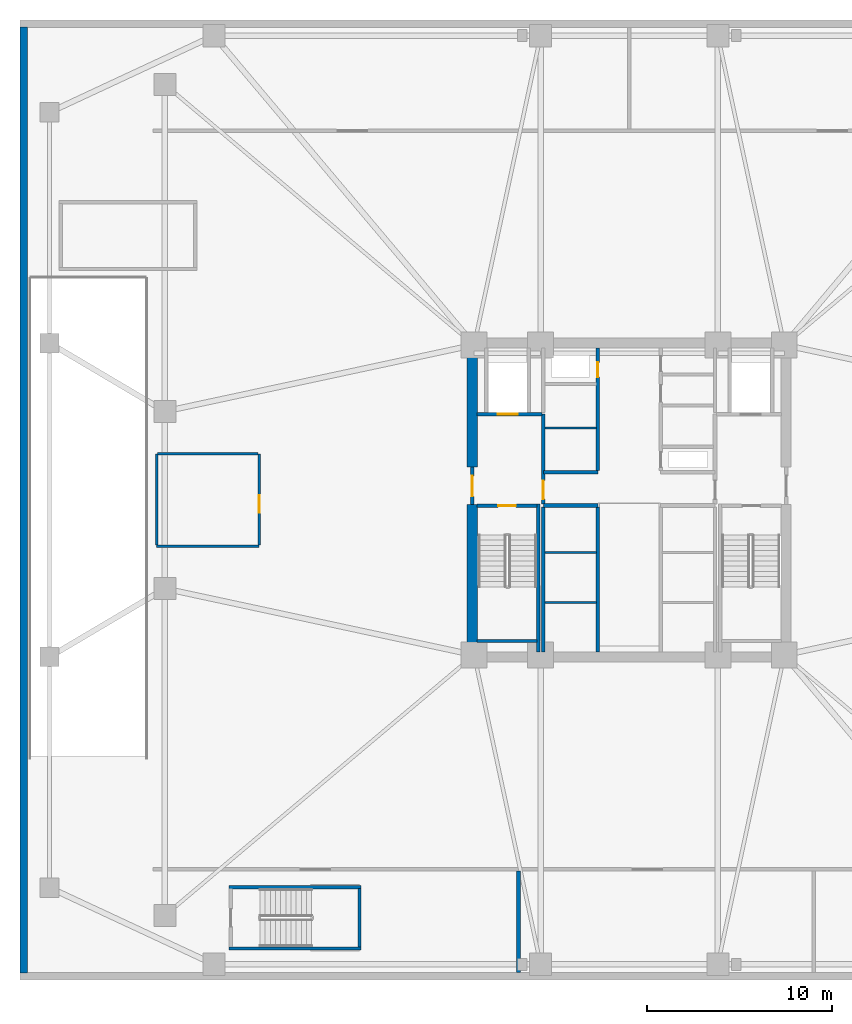
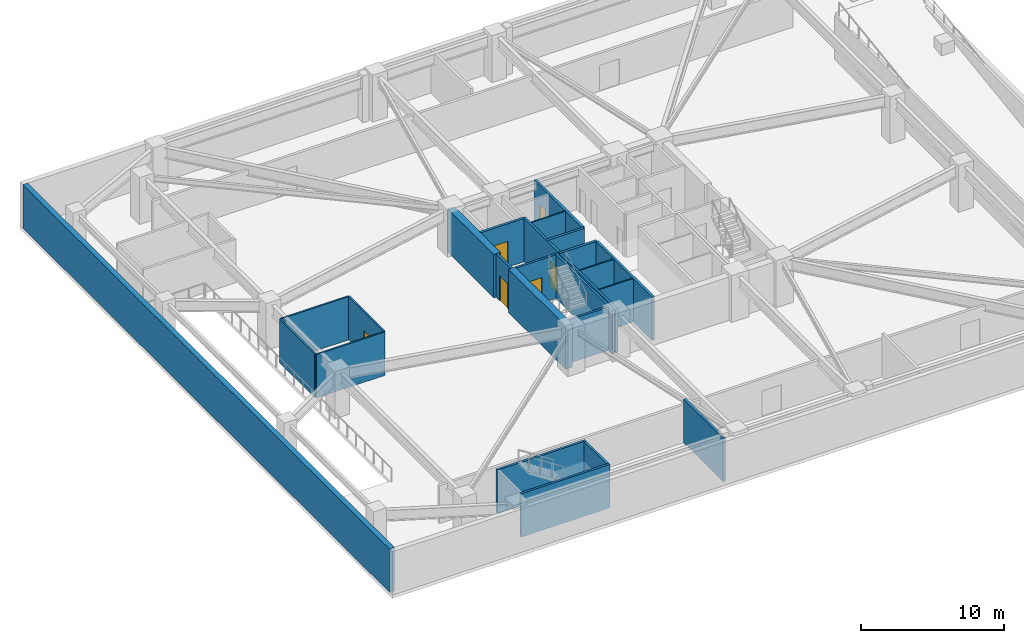
# One storey, part 2 of 9: 25 walls, 6 doors, 6 openings.
"""IFC4 building model written with IfcOpenShell, lengths in metres."""

from ifc_helpers import new_model, si_unit, direction, frame, frame_2d, origin, place, context, subcontext, project, spatial, rectangle, extrude, material, layer, layer_set, type_object, element, fill, save


model = new_model("IFC4")

# Units and contexts
model_context = context("Model", 3, precision=1e-05, world=origin(), true_north=direction((0.0, 1.0)))
body_context = subcontext(model_context, "Body", "Model", "MODEL_VIEW")
ifc_project = project(units=[si_unit("LENGTHUNIT", "METRE"), si_unit("AREAUNIT", "SQUARE_METRE"), si_unit("VOLUMEUNIT", "CUBIC_METRE"), si_unit("PLANEANGLEUNIT", "RADIAN"), si_unit("MASSUNIT", "GRAM", prefix="KILO")], contexts=[model_context])

# Site, building, storey
site_placement = place(None, origin())
site = spatial("IfcSite", under=ifc_project, at=site_placement, CompositionType="ELEMENT")
building_placement = place(site_placement, origin())
building = spatial("IfcBuilding", under=site, at=building_placement, Name="Cairnveth Concourse Tower", CompositionType="ELEMENT")
storey_placement = place(building_placement, frame((0.0, 0.0, -4.0)))
storey = spatial("IfcBuildingStorey", under=building, at=storey_placement, Name="B01", CompositionType="ELEMENT", Elevation=-4.0)

# Walls
ifc_material_1 = material(Name="Concrete N50 (50 MPa)", Category="concrete")
ifc_layer_1 = layer(ifc_material_1, 0.39990234375)
ifc_layer_set_1 = layer_set([ifc_layer_1], Name="Concrete N50 (50 MPa)")
wall_type_1 = type_object("IfcWallType", Name="BASEMENT RETAINING WALL 400", PredefinedType="USERDEFINED", material=ifc_layer_set_1)
wall_1_placement = place(storey_placement, frame((19.199951171875, 13.385009765625, 0.0), z_axis=(0.0, 0.0, 1.0), x_axis=(0.0, 1.0, 0.0)))
element("IfcWall", 1, at=wall_1_placement, inside=storey, type_object=wall_type_1, Name="Exterior Wall EW-B01-W", ObjectType="RETAINING WALL", PredefinedType="USERDEFINED", context=body_context, shape_type="SweptSolid", body=[
    extrude(rectangle(XDim=51.22998046875, YDim=0.39990234375, at=frame_2d((25.614990234375, 0.0))), origin(), (0.0, 0.0, 1.0), 3.699951171875),
])
ifc_material_2 = material(Name="Concrete N80 (80 MPa)", Category="concrete")
ifc_layer_2 = layer(ifc_material_2, 0.550048828125)
ifc_layer_set_2 = layer_set([ifc_layer_2], Name="Concrete N80 (80 MPa)")
wall_type_2 = type_object("IfcWallType", Name="CORE SHEAR WALL 550", PredefinedType="SHEAR", material=ifc_layer_set_2)
wall_2_placement = place(storey_placement, frame((43.5, 30.764892578125, 0.0), z_axis=(0.0, 0.0, 1.0), x_axis=(0.0, 1.0, 0.0)))
element("IfcWall", 2, at=wall_2_placement, inside=storey, type_object=wall_type_2, Name="Core West Shear Wall S B01", PredefinedType="SHEAR", context=body_context, shape_type="SweptSolid", body=[
    extrude(rectangle(XDim=7.985107421875, YDim=0.550048828125, at=frame_2d((3.99267578125, 0.0))), origin(), (0.0, 0.0, 1.0), 3.699951171875),
])
wall_3_placement = place(storey_placement, frame((43.5, 40.800048828125, 0.0), z_axis=(0.0, 0.0, 1.0), x_axis=(0.0, 1.0, 0.0)))
element("IfcWall", 3, at=wall_3_placement, inside=storey, type_object=wall_type_2, Name="Core West Shear Wall N B01", PredefinedType="SHEAR", context=body_context, shape_type="SweptSolid", body=[
    extrude(rectangle(XDim=6.43505859375, YDim=0.550048828125, at=frame_2d((3.217529296875, 0.0))), origin(), (0.0, 0.0, 1.0), 3.699951171875),
])
ifc_layer_3 = layer(ifc_material_1, 0.179931640625)
ifc_layer_set_3 = layer_set([ifc_layer_3], Name="Concrete N50 (50 MPa)")
wall_type_3 = type_object("IfcWallType", Name="FIRE SHAFT WALL 180", PredefinedType="SOLIDWALL", material=ifc_layer_set_3)
wall_4_placement = place(storey_placement, frame((47.35009765625, 30.760009765625, 0.0), z_axis=(0.0, 0.0, 1.0), x_axis=(0.0, 1.0, 0.0)))
element("IfcWall", 4, at=wall_4_placement, inside=storey, type_object=wall_type_3, Name="Interior Wall IW-B01-025", PredefinedType="SOLIDWALL", context=body_context, shape_type="SweptSolid", body=[
    extrude(rectangle(XDim=7.85498046875, YDim=0.179931640625, at=frame_2d((3.927490234375, 0.0))), origin(), (0.0, 0.0, 1.0), 3.699951171875),
])

# Wall, opening, door
wall_5_placement = place(storey_placement, frame((43.764892578125, 38.68994140625, 0.0), z_axis=(0.0, 0.0, 1.0), x_axis=(1.0, 0.0, 0.0)))
wall_5 = element("IfcWall", 5, at=wall_5_placement, inside=storey, type_object=wall_type_3, Name="Stair ST-1 Shaft Wall NEAR B01", PredefinedType="SOLIDWALL", context=body_context, shape_type="SweptSolid", body=[
    extrude(rectangle(XDim=3.230224609375, YDim=0.179931640625, at=frame_2d((1.615234375, 0.0))), origin(), (0.0, 0.0, 1.0), 3.699951171875),
])
opening_1_placement = place(wall_5_placement, frame((1.139892578125, 0.0, 0.0)))
opening_1 = element("IfcOpeningElement", 6, at=opening_1_placement, cuts=wall_5, Name="Opening ID12", PredefinedType="OPENING", context=body_context, shape_type="SweptSolid", body=[
    extrude(rectangle(XDim=0.949951171875, YDim=2.14990234375, at=frame_2d((0.47509765625, 1.074951171875))), frame((0.0, 0.099853515625, 0.0), z_axis=(0.0, -1.0, 0.0), x_axis=(1.0, 0.0, 0.0)), (0.0, 0.0, 1.0), 0.199951171875),
])
ifc_material_3 = material(Name="Steel Grade 350", Category="steel")
door_type_1 = type_object("IfcDoorType", Name="FIRE STAIR DOOR 950X2150", OperationType="NOTDEFINED", PredefinedType="DOOR", material=ifc_material_3)
door_1_placement = place(opening_1_placement, origin())
door_1 = element("IfcDoor", 7, at=door_1_placement, inside=storey, type_object=door_type_1, Name="Stair ST-1 Fire Door B01", OperationType="SINGLE_SWING_LEFT", OverallHeight=2.14990234375, OverallWidth=0.949951171875, PredefinedType="DOOR", context=body_context, shape_type="SweptSolid", body=[
    extrude(rectangle(XDim=0.949951171875, YDim=2.14990234375, at=frame_2d((0.47509765625, 1.074951171875))), frame((0.0, 0.02490234375, 0.0), z_axis=(0.0, -1.0, 0.0), x_axis=(1.0, 0.0, 0.0)), (0.0, 0.0, 1.0), 0.050048828125),
])
fill(opening_1, door_1)

# Walls
wall_6_placement = place(storey_placement, frame((43.764892578125, 31.360107421875, 0.0), z_axis=(0.0, 0.0, 1.0), x_axis=(1.0, 0.0, 0.0)))
element("IfcWall", 8, at=wall_6_placement, inside=storey, type_object=wall_type_3, Name="Stair ST-1 Shaft Wall FAR B01", PredefinedType="SOLIDWALL", context=body_context, shape_type="SweptSolid", body=[
    extrude(rectangle(XDim=3.230224609375, YDim=0.179931640625, at=frame_2d((1.615234375, 0.0))), origin(), (0.0, 0.0, 1.0), 3.699951171875),
])
wall_7_placement = place(storey_placement, frame((47.070068359375, 38.780029296875, 0.0), z_axis=(0.0, 0.0, 1.0), x_axis=(0.0, -1.0, 0.0)))
element("IfcWall", 9, at=wall_7_placement, inside=storey, type_object=wall_type_3, Name="Stair ST-1 Shaft Wall RGHT B01", PredefinedType="SOLIDWALL", context=body_context, shape_type="SweptSolid", body=[
    extrude(rectangle(XDim=8.01708984375, YDim=0.179931640625, at=frame_2d((4.008544921875, 0.0))), origin(), (0.0, 0.0, 1.0), 3.699951171875),
])
wall_8_placement = place(storey_placement, frame((37.389892578125, 14.784912109375, 0.0), z_axis=(0.0, 0.0, 1.0), x_axis=(0.0, 1.0, 0.0)))
element("IfcWall", 10, at=wall_8_placement, inside=storey, type_object=wall_type_3, Name="Stair ST-B1 Shaft Wall FAR B01", PredefinedType="SOLIDWALL", context=body_context, shape_type="SweptSolid", body=[
    extrude(rectangle(XDim=3.170166015625, YDim=0.179931640625, at=frame_2d((1.5849609375, 0.0))), origin(), (0.0, 0.0, 1.0), 3.699951171875),
])
for number, where, z_axis, x_axis, name in (
    (11, (30.320068359375, 14.7099609375, 0.0), (0.0, 0.0, 1.0), (1.0, 0.0, 0.0), "Stair ST-B1 Shaft Wall LEFT B01"),
    (12, (30.320068359375, 18.030029296875, 0.0), (0.0, 0.0, 1.0), (1.0, 0.0, 0.0), "Stair ST-B1 Shaft Wall RGHT B01"),
):
    element("IfcWall", number, at=place(storey_placement, frame(where, z_axis=z_axis, x_axis=x_axis)), inside=storey, type_object=wall_type_3, Name=name, PredefinedType="SOLIDWALL", context=body_context, shape_type="SweptSolid", body=[
        extrude(rectangle(XDim=7.159912109375, YDim=0.179931640625, at=frame_2d((3.580078125, 0.0))), origin(), (0.0, 0.0, 1.0), 3.699951171875),
    ])
ifc_layer_4 = layer(ifc_material_1, 0.199951171875)
ifc_layer_set_4 = layer_set([ifc_layer_4], Name="Concrete N50 (50 MPa)")
wall_type_4 = type_object("IfcWallType", Name="FIRE SHAFT WALL 200", PredefinedType="SOLIDWALL", material=ifc_layer_set_4)
for number, where, z_axis, x_axis, name in (
    (13, (47.35009765625, 38.699951171875, 0.0), (0.0, 0.0, 1.0), (1.0, 0.0, 0.0), "Interior Wall IW-B01-007"),
    (14, (47.35009765625, 40.5, 0.0), (0.0, 0.0, 1.0), (1.0, 0.0, 0.0), "Interior Wall IW-B01-008"),
):
    element("IfcWall", number, at=place(storey_placement, frame(where, z_axis=z_axis, x_axis=x_axis)), inside=storey, type_object=wall_type_4, Name=name, PredefinedType="SOLIDWALL", context=body_context, shape_type="SweptSolid", body=[
        extrude(rectangle(XDim=2.949951171875, YDim=0.199951171875, at=frame_2d((1.47509765625, 0.0))), origin(), (0.0, 0.0, 1.0), 3.699951171875),
    ])
wall_9_placement = place(storey_placement, frame((50.300048828125, 30.760009765625, 0.0), z_axis=(0.0, 0.0, 1.0), x_axis=(0.0, 1.0, 0.0)))
element("IfcWall", 15, at=wall_9_placement, inside=storey, type_object=wall_type_4, Name="Interior Wall IW-B01-011", PredefinedType="SOLIDWALL", context=body_context, shape_type="SweptSolid", body=[
    extrude(rectangle(XDim=7.85498046875, YDim=0.199951171875, at=frame_2d((3.927490234375, 0.0))), origin(), (0.0, 0.0, 1.0), 3.699951171875),
])

# Wall, opening, door
wall_10_placement = place(storey_placement, frame((50.300048828125, 40.5849609375, 0.0), z_axis=(0.0, 0.0, 1.0), x_axis=(0.0, 1.0, 0.0)))
wall_10 = element("IfcWall", 16, at=wall_10_placement, inside=storey, type_object=wall_type_4, Name="Interior Wall IW-B01-013", PredefinedType="SOLIDWALL", context=body_context, shape_type="SweptSolid", body=[
    extrude(rectangle(XDim=6.655029296875, YDim=0.199951171875, at=frame_2d((3.32763671875, 0.0))), origin(), (0.0, 0.0, 1.0), 3.699951171875),
])
opening_2_placement = place(wall_10_placement, frame((5.06494140625, 0.0, 0.0)))
opening_2 = element("IfcOpeningElement", 17, at=opening_2_placement, cuts=wall_10, Name="Opening ID24", PredefinedType="OPENING", context=body_context, shape_type="SweptSolid", body=[
    extrude(rectangle(XDim=0.800048828125, YDim=2.080078125, at=frame_2d((0.39990234375, 1.0400390625))), frame((0.0, 0.10986328125, 0.0), z_axis=(0.0, -1.0, 0.0), x_axis=(1.0, 0.0, 0.0)), (0.0, 0.0, 1.0), 0.219970703125),
])
door_type_2 = type_object("IfcDoorType", Name="RISER ACCESS DOOR 800X2100", OperationType="NOTDEFINED", PredefinedType="DOOR", material=ifc_material_3)
door_2_placement = place(opening_2_placement, origin())
door_2 = element("IfcDoor", 18, at=door_2_placement, inside=storey, type_object=door_type_2, Name="NW Electrical Riser Access Door B01", OperationType="SINGLE_SWING_LEFT", OverallHeight=2.080078125, OverallWidth=0.800048828125, PredefinedType="DOOR", context=body_context, shape_type="SweptSolid", body=[
    extrude(rectangle(XDim=0.800048828125, YDim=2.080078125, at=frame_2d((0.39990234375, 1.0400390625))), frame((0.0, 0.02490234375, 0.0), z_axis=(0.0, -1.0, 0.0), x_axis=(1.0, 0.0, 0.0)), (0.0, 0.0, 1.0), 0.050048828125),
])
fill(opening_2, door_2)

wall_11_placement = place(storey_placement, frame((43.5, 38.75, 0.0), z_axis=(0.0, 0.0, 1.0), x_axis=(0.0, 1.0, 0.0)))
wall_11 = element("IfcWall", 19, at=wall_11_placement, inside=storey, type_object=wall_type_4, Name="Interior Wall IW-B01-015", PredefinedType="SOLIDWALL", context=body_context, shape_type="SweptSolid", body=[
    extrude(rectangle(XDim=2.050048828125, YDim=0.199951171875, at=frame_2d((1.02490234375, 0.0))), origin(), (0.0, 0.0, 1.0), 3.699951171875),
])
opening_3_placement = place(wall_11_placement, frame((0.449951171875, 0.0, 0.0)))
opening_3 = element("IfcOpeningElement", 20, at=opening_3_placement, cuts=wall_11, Name="Opening ID06", PredefinedType="OPENING", context=body_context, shape_type="SweptSolid", body=[
    extrude(rectangle(XDim=1.10009765625, YDim=2.14990234375, at=frame_2d((0.550048828125, 1.074951171875))), frame((0.0, 0.10986328125, 0.0), z_axis=(0.0, -1.0, 0.0), x_axis=(1.0, 0.0, 0.0)), (0.0, 0.0, 1.0), 0.219970703125),
])
door_type_3 = type_object("IfcDoorType", Name="FIRE CORRIDOR DOOR 1100X2150", OperationType="NOTDEFINED", PredefinedType="DOOR", material=ifc_material_3)
door_3_placement = place(opening_3_placement, origin())
door_3 = element("IfcDoor", 21, at=door_3_placement, inside=storey, type_object=door_type_3, Name="West Wing to FF Lobby Door B01", OperationType="SINGLE_SWING_LEFT", OverallHeight=2.14990234375, OverallWidth=1.10009765625, PredefinedType="DOOR", context=body_context, shape_type="SweptSolid", body=[
    extrude(rectangle(XDim=1.10009765625, YDim=2.14990234375, at=frame_2d((0.550048828125, 1.074951171875))), frame((0.0, 0.02490234375, 0.0), z_axis=(0.0, -1.0, 0.0), x_axis=(1.0, 0.0, 0.0)), (0.0, 0.0, 1.0), 0.050048828125),
])
fill(opening_3, door_3)

wall_12_placement = place(storey_placement, frame((47.35009765625, 38.784912109375, 0.0), z_axis=(0.0, 0.0, 1.0), x_axis=(0.0, 1.0, 0.0)))
wall_12 = element("IfcWall", 22, at=wall_12_placement, inside=storey, type_object=wall_type_4, Name="Interior Wall IW-B01-016", PredefinedType="SOLIDWALL", context=body_context, shape_type="SweptSolid", body=[
    extrude(rectangle(XDim=4.864990234375, YDim=0.199951171875, at=frame_2d((2.4326171875, 0.0))), origin(), (0.0, 0.0, 1.0), 3.699951171875),
])
opening_4_placement = place(wall_12_placement, frame((0.264892578125, 0.0, 0.0)))
opening_4 = element("IfcOpeningElement", 23, at=opening_4_placement, cuts=wall_12, Name="Opening ID07", PredefinedType="OPENING", context=body_context, shape_type="SweptSolid", body=[
    extrude(rectangle(XDim=1.0, YDim=2.14990234375, at=frame_2d((0.5, 1.074951171875))), frame((0.0, 0.10986328125, 0.0), z_axis=(0.0, -1.0, 0.0), x_axis=(1.0, 0.0, 0.0)), (0.0, 0.0, 1.0), 0.219970703125),
])
door_type_4 = type_object("IfcDoorType", Name="FIRE CORRIDOR DOOR 1000X2150", OperationType="NOTDEFINED", PredefinedType="DOOR", material=ifc_material_3)
door_4_placement = place(opening_4_placement, origin())
door_4 = element("IfcDoor", 24, at=door_4_placement, inside=storey, type_object=door_type_4, Name="FF Lobby West to Lift Lobby Door B01", OperationType="SINGLE_SWING_RIGHT", OverallHeight=2.14990234375, OverallWidth=1.0, PredefinedType="DOOR", context=body_context, shape_type="SweptSolid", body=[
    extrude(rectangle(XDim=1.0, YDim=2.14990234375, at=frame_2d((0.5, 1.074951171875))), frame((0.0, 0.02490234375, 0.0), z_axis=(0.0, -1.0, 0.0), x_axis=(1.0, 0.0, 0.0)), (0.0, 0.0, 1.0), 0.050048828125),
])
fill(opening_4, door_4)

wall_13_placement = place(storey_placement, frame((43.760009765625, 43.64990234375, 0.0), z_axis=(0.0, 0.0, 1.0), x_axis=(1.0, 0.0, 0.0)))
wall_13 = element("IfcWall", 25, at=wall_13_placement, inside=storey, type_object=wall_type_4, Name="Interior Wall IW-B01-017", PredefinedType="SOLIDWALL", context=body_context, shape_type="SweptSolid", body=[
    extrude(rectangle(XDim=3.5048828125, YDim=0.199951171875, at=frame_2d((1.75244140625, 0.0))), origin(), (0.0, 0.0, 1.0), 3.699951171875),
])
opening_5_placement = place(wall_13_placement, frame((1.110107421875, 0.0, 0.0)))
opening_5 = element("IfcOpeningElement", 26, at=opening_5_placement, cuts=wall_13, Name="Opening LD-1", PredefinedType="OPENING", context=body_context, shape_type="SweptSolid", body=[
    extrude(rectangle(XDim=1.10009765625, YDim=2.199951171875, at=frame_2d((0.550048828125, 1.10009765625))), frame((0.0, 0.10986328125, 0.0), z_axis=(0.0, -1.0, 0.0), x_axis=(1.0, 0.0, 0.0)), (0.0, 0.0, 1.0), 0.219970703125),
])
ifc_material_4 = material(Name="Architectural Bronze Anodised Aluminium 6063-T6", Category="aluminium")
door_type_5 = type_object("IfcDoorType", Name="LIFT LANDING DOOR 1100X2200", OperationType="SLIDING_TO_LEFT", PredefinedType="DOOR", material=ifc_material_4)
door_5_placement = place(opening_5_placement, origin())
door_5 = element("IfcDoor", 27, at=door_5_placement, inside=storey, type_object=door_type_5, Name="Lift FFL1 Landing Door B01", OperationType="SLIDING_TO_LEFT", OverallHeight=2.199951171875, OverallWidth=1.10009765625, PredefinedType="DOOR", context=body_context, shape_type="SweptSolid", body=[
    extrude(rectangle(XDim=1.10009765625, YDim=2.199951171875, at=frame_2d((0.550048828125, 1.10009765625))), frame((0.0, 0.02490234375, 0.0), z_axis=(0.0, -1.0, 0.0), x_axis=(1.0, 0.0, 0.0)), (0.0, 0.0, 1.0), 0.050048828125),
])
fill(opening_5, door_5)

# Walls
wall_14_placement = place(storey_placement, frame((46.0, 13.39990234375, 0.0), z_axis=(0.0, 0.0, 1.0), x_axis=(0.0, 1.0, 0.0)))
element("IfcWall", 28, at=wall_14_placement, inside=storey, type_object=wall_type_4, Name="Interior Wall IW-B01-040", PredefinedType="SOLIDWALL", context=body_context, shape_type="SweptSolid", body=[
    extrude(rectangle(XDim=5.51513671875, YDim=0.199951171875, at=frame_2d((2.757568359375, 0.0))), origin(), (0.0, 0.0, 1.0), 3.699951171875),
])
ifc_material_5 = material(Name="Gypsum Plasterboard Partition", Category="gypsum")
ifc_layer_5 = layer(ifc_material_5, 0.110107421875)
ifc_layer_set_5 = layer_set([ifc_layer_5], Name="Gypsum Plasterboard Partition")
wall_type_5 = type_object("IfcWallType", Name="SHAFT DIVIDER WALL 140", PredefinedType="PARTITIONING", material=ifc_layer_set_5)
for number, where, z_axis, x_axis, name in (
    (29, (47.425048828125, 33.449951171875, 0.0), (0.0, 0.0, 1.0), (1.0, 0.0, 0.0), "Interior Wall IW-B01-026"),
    (30, (47.425048828125, 36.14990234375, 0.0), (0.0, 0.0, 1.0), (1.0, 0.0, 0.0), "Interior Wall IW-B01-027"),
):
    element("IfcWall", number, at=place(storey_placement, frame(where, z_axis=z_axis, x_axis=x_axis)), inside=storey, type_object=wall_type_5, Name=name, PredefinedType="PARTITIONING", context=body_context, shape_type="SweptSolid", body=[
        extrude(rectangle(XDim=2.7900390625, YDim=0.110107421875, at=frame_2d((1.39501953125, 0.0))), origin(), (0.0, 0.0, 1.0), 3.699951171875),
    ])
wall_15_placement = place(storey_placement, frame((47.43505859375, 42.89990234375, 0.0), z_axis=(0.0, 0.0, 1.0), x_axis=(1.0, 0.0, 0.0)))
element("IfcWall", 31, at=wall_15_placement, inside=storey, type_object=wall_type_5, Name="Interior Wall IW-B01-032", PredefinedType="PARTITIONING", context=body_context, shape_type="SweptSolid", body=[
    extrude(rectangle(XDim=2.780029296875, YDim=0.110107421875, at=frame_2d((1.39013671875, 0.0))), origin(), (0.0, 0.0, 1.0), 3.699951171875),
])
ifc_layer_6 = layer(ifc_material_5, 0.1298828125)
ifc_layer_set_6 = layer_set([ifc_layer_6], Name="Gypsum Plasterboard Partition")
wall_type_6 = type_object("IfcWallType", Name="WET AREA PARTITION 140", PredefinedType="PLUMBINGWALL", material=ifc_layer_set_6)
wall_16_placement = place(storey_placement, frame((26.39990234375, 36.5, 0.0), z_axis=(0.0, 0.0, 1.0), x_axis=(1.0, 0.0, 0.0)))
element("IfcWall", 32, at=wall_16_placement, inside=storey, type_object=wall_type_6, Name="Interior Wall IW-B01-043", PredefinedType="PLUMBINGWALL", context=body_context, shape_type="SweptSolid", body=[
    extrude(rectangle(XDim=5.550048828125, YDim=0.1298828125, at=frame_2d((2.77490234375, 0.0))), origin(), (0.0, 0.0, 1.0), 3.699951171875),
])
wall_17_placement = place(storey_placement, frame((26.39990234375, 36.550048828125, 0.0), z_axis=(0.0, 0.0, 1.0), x_axis=(0.0, 1.0, 0.0)))
element("IfcWall", 33, at=wall_17_placement, inside=storey, type_object=wall_type_6, Name="Interior Wall IW-B01-044", PredefinedType="PLUMBINGWALL", context=body_context, shape_type="SweptSolid", body=[
    extrude(rectangle(XDim=4.949951171875, YDim=0.1298828125, at=frame_2d((2.47509765625, 0.0))), origin(), (0.0, 0.0, 1.0), 3.699951171875),
])

# Wall, opening, door
wall_18_placement = place(storey_placement, frame((31.949951171875, 36.550048828125, 0.0), z_axis=(0.0, 0.0, 1.0), x_axis=(0.0, 1.0, 0.0)))
wall_18 = element("IfcWall", 34, at=wall_18_placement, inside=storey, type_object=wall_type_6, Name="Interior Wall IW-B01-045", PredefinedType="PLUMBINGWALL", context=body_context, shape_type="SweptSolid", body=[
    extrude(rectangle(XDim=4.949951171875, YDim=0.1298828125, at=frame_2d((2.47509765625, 0.0))), origin(), (0.0, 0.0, 1.0), 3.699951171875),
])
opening_6_placement = place(wall_18_placement, frame((1.75, 0.0, 0.0)))
opening_6 = element("IfcOpeningElement", 35, at=opening_6_placement, cuts=wall_18, Name="Opening ID13", PredefinedType="OPENING", context=body_context, shape_type="SweptSolid", body=[
    extrude(rectangle(XDim=0.949951171875, YDim=2.10009765625, at=frame_2d((0.47509765625, 1.050048828125))), frame((0.0, 0.074951171875, 0.0), z_axis=(0.0, -1.0, 0.0), x_axis=(1.0, 0.0, 0.0)), (0.0, 0.0, 1.0), 0.14990234375),
])
ifc_material_6 = material(Name="Solid Core Hardwood Timber Leaf", Category="wood")
door_type_6 = type_object("IfcDoorType", Name="ACCESSIBLE WC DOOR 950X2100", OperationType="NOTDEFINED", PredefinedType="DOOR", material=ifc_material_6)
door_6_placement = place(opening_6_placement, origin())
door_6 = element("IfcDoor", 36, at=door_6_placement, inside=storey, type_object=door_type_6, Name="Interior Door DR-B01-016", OperationType="SINGLE_SWING_RIGHT", OverallHeight=2.10009765625, OverallWidth=0.949951171875, PredefinedType="DOOR", context=body_context, shape_type="SweptSolid", body=[
    extrude(rectangle(XDim=0.949951171875, YDim=2.10009765625, at=frame_2d((0.47509765625, 1.050048828125))), frame((0.0, 0.02490234375, 0.0), z_axis=(0.0, -1.0, 0.0), x_axis=(1.0, 0.0, 0.0)), (0.0, 0.0, 1.0), 0.050048828125),
])
fill(opening_6, door_6)

# Wall
wall_19_placement = place(storey_placement, frame((26.449951171875, 41.5, 0.0), z_axis=(0.0, 0.0, 1.0), x_axis=(1.0, 0.0, 0.0)))
element("IfcWall", 37, at=wall_19_placement, inside=storey, type_object=wall_type_6, Name="Interior Wall IW-B01-046", PredefinedType="PLUMBINGWALL", context=body_context, shape_type="SweptSolid", body=[
    extrude(rectangle(XDim=5.449951171875, YDim=0.1298828125, at=frame_2d((2.72509765625, 0.0))), origin(), (0.0, 0.0, 1.0), 3.699951171875),
])

save(model, "model.ifc")
